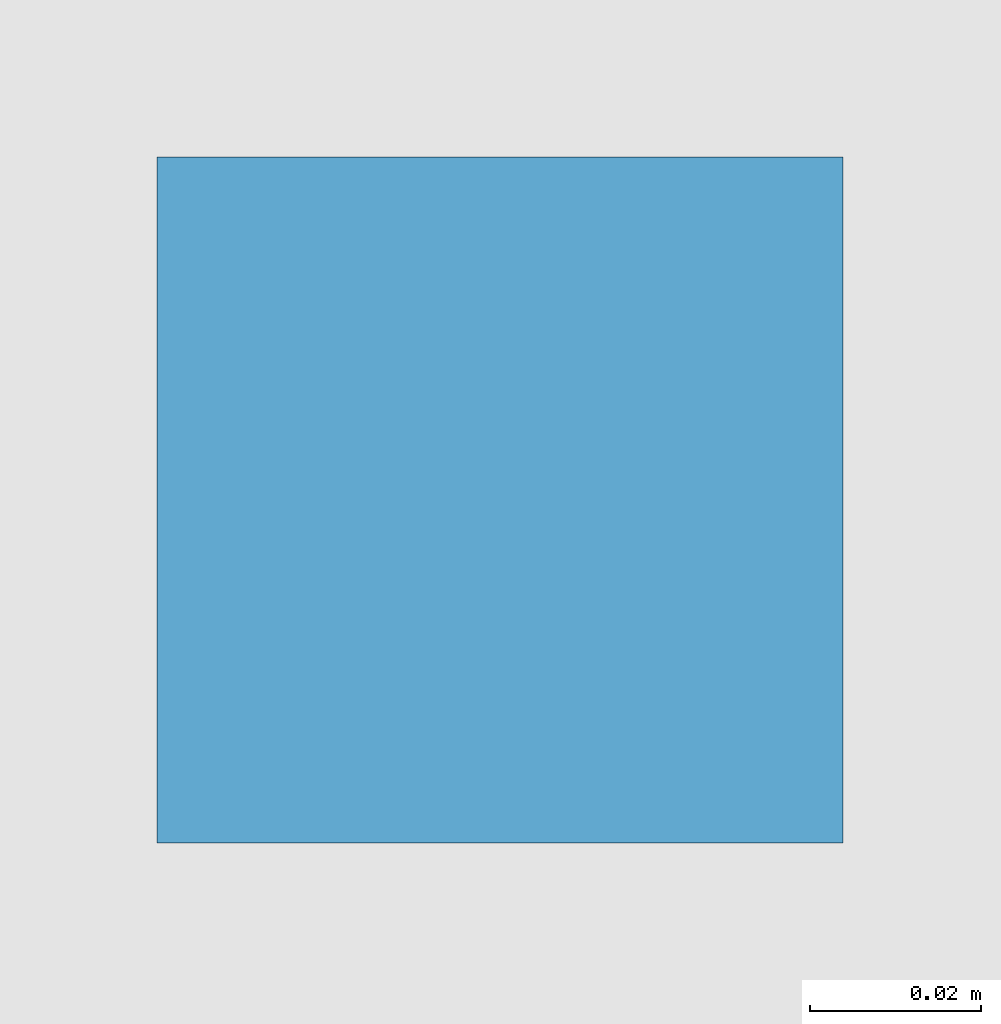
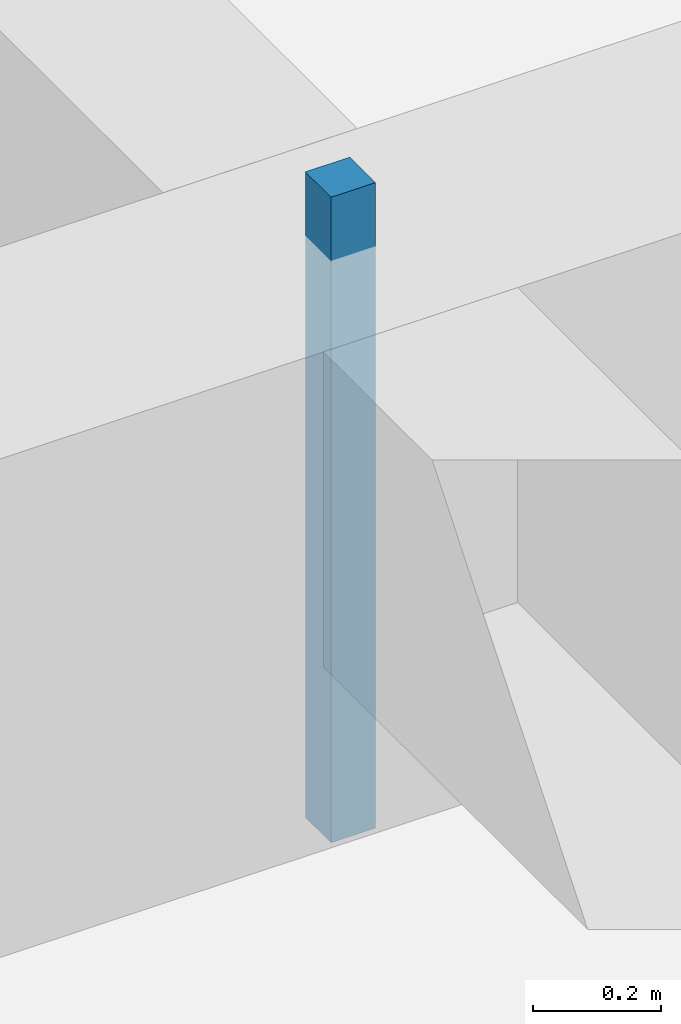
# One storey, part 118 of 147: 1 discrete accessory.
"""IFC4 building model written with IfcOpenShell, lengths in metres."""

from ifc_helpers import new_model, si_unit, direction, frame, origin, origin_2d, place, context, subcontext, project, spatial, rectangle, extrude, material, layer, layer_set, type_object, element, save


model = new_model("IFC4")

# Units and contexts
model_context = context("Model", 3, precision=1e-05, world=origin(), true_north=direction((0.0, 1.0)))
body_context = subcontext(model_context, "Body", "Model", "MODEL_VIEW")
ifc_project = project(units=[si_unit("LENGTHUNIT", "METRE"), si_unit("AREAUNIT", "SQUARE_METRE"), si_unit("VOLUMEUNIT", "CUBIC_METRE"), si_unit("PLANEANGLEUNIT", "RADIAN"), si_unit("MASSUNIT", "GRAM", prefix="KILO")], contexts=[model_context])

# Site, building, storey
site_placement = place(None, origin())
site = spatial("IfcSite", under=ifc_project, at=site_placement, CompositionType="ELEMENT")
building_placement = place(site_placement, origin())
building = spatial("IfcBuilding", under=site, at=building_placement, Name="Varnabhumi Central Station", CompositionType="ELEMENT")
storey_placement = place(building_placement, origin())
storey = spatial("IfcBuildingStorey", under=building, at=storey_placement, Name="L00", CompositionType="ELEMENT", Elevation=0.0)

# Discrete accessory
ifc_material = material(Name="Structural steel E350", Category="steel")
ifc_layer = layer(ifc_material, 0.159912109375, Name="Structural steel E350", Category="steel")
ifc_layer_set = layer_set([ifc_layer], Name="Structural steel E350")
discrete_accessory_type = type_object("IfcDiscreteAccessoryType", Name="ACC-SHADE-BRKT", PredefinedType="BRACKET", material=ifc_layer_set)
discrete_accessory_placement = place(storey_placement, frame((100.0, 27.0, 3.43994140625), z_axis=(0.0, 0.0, 1.0), x_axis=(1.0, 0.0, 0.0)))
element("IfcDiscreteAccessory", 1, at=discrete_accessory_placement, inside=storey, type_object=discrete_accessory_type, Name="Oversize Baggage Screening Room Ceiling Hanger", PredefinedType="BRACKET", context=body_context, shape_type="SweptSolid", body=[
    extrude(rectangle(XDim=0.080078125, YDim=0.080078125, at=origin_2d()), origin(), (0.0, 0.0, 1.0), 1.22998046875),
])

save(model, "model.ifc")
